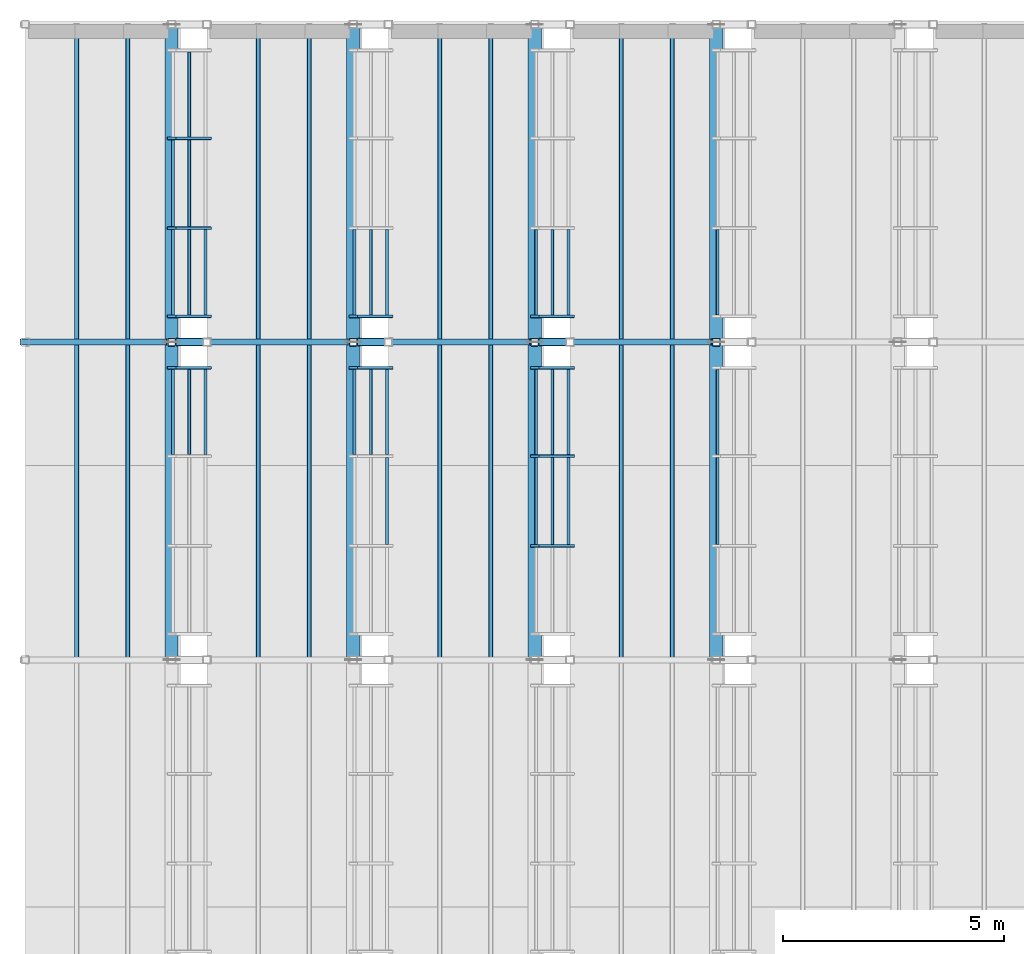
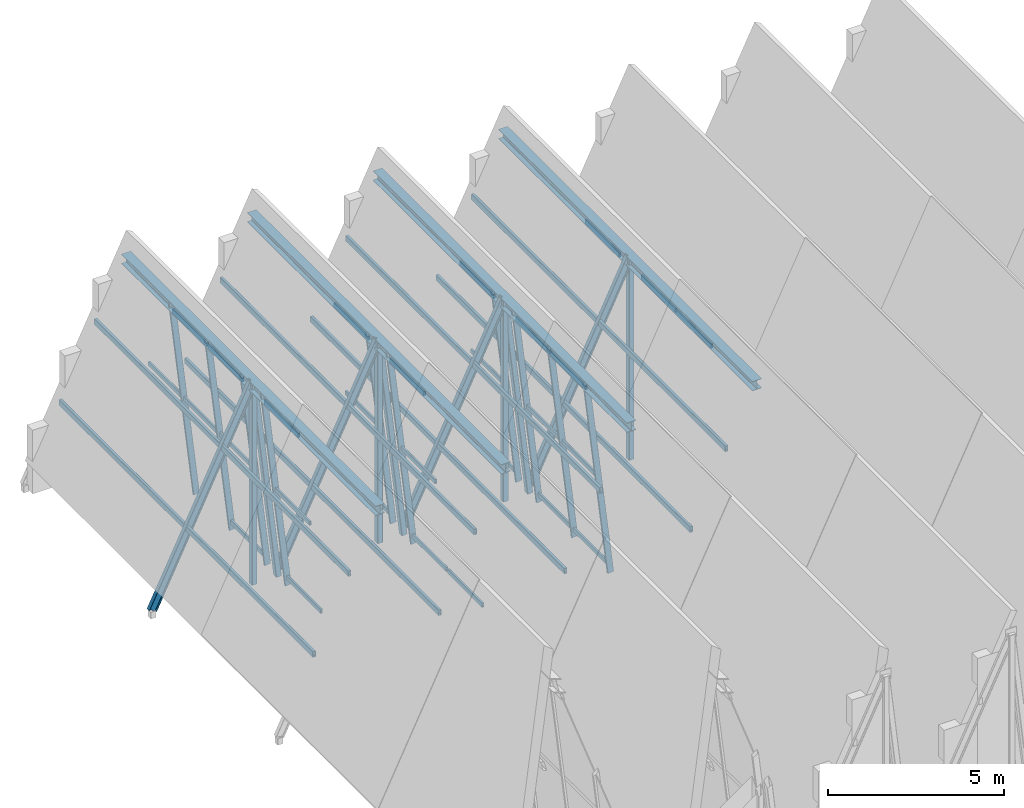
# One storey, part 7 of 28: 57 members, 4 beams, 8 elements without a shape of their own.
"""IFC4 building model written with IfcOpenShell, lengths in metres."""

from ifc_helpers import new_model, si_unit, direction, frame, origin, origin_2d, place, context, subcontext, project, spatial, hollow_rectangle, i_section, extrude, material, material_profile, profile_set, type_object, element, aggregate, save


model = new_model("IFC4")

# Units and contexts
model_context = context("Model", 3, precision=1e-05, world=origin(), true_north=direction((0.0, 1.0)))
body_context = subcontext(model_context, "Body", "Model", "MODEL_VIEW")
ifc_project = project(units=[si_unit("LENGTHUNIT", "METRE"), si_unit("AREAUNIT", "SQUARE_METRE"), si_unit("VOLUMEUNIT", "CUBIC_METRE"), si_unit("PLANEANGLEUNIT", "RADIAN"), si_unit("MASSUNIT", "GRAM", prefix="KILO")], contexts=[model_context])

# Site, building, storey
site_placement = place(None, origin())
site = spatial("IfcSite", under=ifc_project, at=site_placement, CompositionType="ELEMENT")
building_placement = place(site_placement, origin())
building = spatial("IfcBuilding", under=site, at=building_placement, Name="Bramveld Media Centre", CompositionType="ELEMENT")
storey_placement = place(building_placement, frame((0.0, 0.0, 33.89990234375)))
storey = spatial("IfcBuildingStorey", under=building, at=storey_placement, Name="ROOF", CompositionType="ELEMENT", Elevation=33.89990234375)

# Curtain wall, member
ifc_material_1 = material(Name="Thermally broken anodized bronze aluminium unitized curtain wall with solar-control triple glazing", Category="aluminium")
curtain_wall_type = type_object("IfcCurtainWallType", Name="CW-CRN-6100x6941", PredefinedType="NOTDEFINED", material=ifc_material_1)
curtain_wall_1_placement = place(storey_placement, origin())
curtain_wall_1 = element("IfcCurtainWall", 1, at=curtain_wall_1_placement, inside=storey, type_object=curtain_wall_type, Name="V7 crown clerestory B1-S3", PredefinedType="NOTDEFINED")
ifc_material_2 = material(Name="Thermally broken anodized bronze aluminium EN AW-6063 T6 curtain-wall framing", Category="aluminium")
ifc_material_profile_1 = material_profile(ifc_material_2, hollow_rectangle(XDim=0.070068359375, YDim=0.199951171875, WallThickness=0.00439453125, InnerFilletRadius=0.00439453125, OuterFilletRadius=0.009033203125, at=origin_2d()), Name="AL-MULL 70x200")
ifc_profile_set_1 = profile_set([ifc_material_profile_1], Name="Thermally broken anodized bronze aluminium EN AW-6063 T6 curtain-wall framing")
member_type_1 = type_object("IfcMemberType", Name="CW-MULL-SLP", PredefinedType="MULLION", material=ifc_profile_set_1)
member_1_placement = place(storey_placement, frame((135.314208984375, 104.215087890625, -0.02001953125), z_axis=(-0.115228868081, 0.0, 0.993338969315), x_axis=(0.0, -1.0, 0.0)))
member_1 = element("IfcMember", 2, at=member_1_placement, type_object=member_type_1, Name="CW-CR-6169 sloped mullion 4", PredefinedType="MULLION", context=body_context, shape_type="SweptSolid", body=[
    extrude(hollow_rectangle(XDim=0.070068359375, YDim=0.199951171875, WallThickness=0.00439453125, InnerFilletRadius=0.00439453125, OuterFilletRadius=0.009033203125, at=origin_2d()), origin(), (0.0, 0.0, 1.0), 6.94091796875),
])

# Curtain wall, members
curtain_wall_2_placement = place(storey_placement, origin())
curtain_wall_2 = element("IfcCurtainWall", 3, at=curtain_wall_2_placement, inside=storey, type_object=curtain_wall_type, Name="V7 crown clerestory B1-S4", PredefinedType="NOTDEFINED")
member_2_placement = place(storey_placement, frame((135.314208984375, 105.385009765625, -0.02001953125), z_axis=(-0.115228868081, 0.0, 0.993338969315), x_axis=(0.0, -1.0, 0.0)))
member_2 = element("IfcMember", 4, at=member_2_placement, type_object=member_type_1, Name="CW-CR-6169 sloped mullion 1", PredefinedType="MULLION", context=body_context, shape_type="SweptSolid", body=[
    extrude(hollow_rectangle(XDim=0.070068359375, YDim=0.199951171875, WallThickness=0.00439453125, InnerFilletRadius=0.00439453125, OuterFilletRadius=0.009033203125, at=origin_2d()), origin(), (0.0, 0.0, 1.0), 6.94091796875),
])
member_3_placement = place(storey_placement, frame((135.314208984375, 107.38330078125, -0.02001953125), z_axis=(-0.115228868081, 0.0, 0.993338969315), x_axis=(0.0, -1.0, 0.0)))
member_3 = element("IfcMember", 5, at=member_3_placement, type_object=member_type_1, Name="CW-CR-6169 sloped mullion 2", PredefinedType="MULLION", context=body_context, shape_type="SweptSolid", body=[
    extrude(hollow_rectangle(XDim=0.070068359375, YDim=0.199951171875, WallThickness=0.00439453125, InnerFilletRadius=0.00439453125, OuterFilletRadius=0.009033203125, at=origin_2d()), origin(), (0.0, 0.0, 1.0), 6.94091796875),
])
member_4_placement = place(storey_placement, frame((135.314208984375, 109.416748046875, -0.02001953125), z_axis=(-0.115228868081, 0.0, 0.993338969315), x_axis=(0.0, -1.0, 0.0)))
member_4 = element("IfcMember", 6, at=member_4_placement, type_object=member_type_1, Name="CW-CR-6169 sloped mullion 3", PredefinedType="MULLION", context=body_context, shape_type="SweptSolid", body=[
    extrude(hollow_rectangle(XDim=0.070068359375, YDim=0.199951171875, WallThickness=0.00439453125, InnerFilletRadius=0.00439453125, OuterFilletRadius=0.009033203125, at=origin_2d()), origin(), (0.0, 0.0, 1.0), 6.94091796875),
])

# Curtain wall, member
curtain_wall_3_placement = place(storey_placement, origin())
curtain_wall_3 = element("IfcCurtainWall", 7, at=curtain_wall_3_placement, inside=storey, type_object=curtain_wall_type, Name="V7 crown clerestory B2-S3", PredefinedType="NOTDEFINED")
member_5_placement = place(storey_placement, frame((139.4287109375, 104.215087890625, -0.02001953125), z_axis=(-0.115263574492, 0.0, 0.993334942703), x_axis=(0.0, -1.0, 0.0)))
member_5 = element("IfcMember", 8, at=member_5_placement, type_object=member_type_1, Name="CW-CR-6169 sloped mullion 4", PredefinedType="MULLION", context=body_context, shape_type="SweptSolid", body=[
    extrude(hollow_rectangle(XDim=0.070068359375, YDim=0.199951171875, WallThickness=0.00439453125, InnerFilletRadius=0.00439453125, OuterFilletRadius=0.009033203125, at=origin_2d()), origin(), (0.0, 0.0, 1.0), 6.94091796875),
])

curtain_wall_4_placement = place(storey_placement, origin())
curtain_wall_4 = element("IfcCurtainWall", 9, at=curtain_wall_4_placement, inside=storey, type_object=curtain_wall_type, Name="V7 crown clerestory B2-S4", PredefinedType="NOTDEFINED")
member_6_placement = place(storey_placement, frame((139.4287109375, 105.385009765625, -0.02001953125), z_axis=(-0.115263574492, 0.0, 0.993334942703), x_axis=(0.0, -1.0, 0.0)))
member_6 = element("IfcMember", 10, at=member_6_placement, type_object=member_type_1, Name="CW-CR-6169 sloped mullion 1", PredefinedType="MULLION", context=body_context, shape_type="SweptSolid", body=[
    extrude(hollow_rectangle(XDim=0.070068359375, YDim=0.199951171875, WallThickness=0.00439453125, InnerFilletRadius=0.00439453125, OuterFilletRadius=0.009033203125, at=origin_2d()), origin(), (0.0, 0.0, 1.0), 6.94091796875),
])

# Curtain wall, members
curtain_wall_5_placement = place(storey_placement, origin())
curtain_wall_5 = element("IfcCurtainWall", 11, at=curtain_wall_5_placement, inside=storey, type_object=curtain_wall_type, Name="V7 crown clerestory B3-S3", PredefinedType="NOTDEFINED")
member_7_placement = place(storey_placement, frame((143.54296875, 100.183349609375, -0.02001953125), z_axis=(-0.115263574492, 0.0, 0.993334942703), x_axis=(0.0, -1.0, 0.0)))
member_7 = element("IfcMember", 12, at=member_7_placement, type_object=member_type_1, Name="CW-CR-6169 sloped mullion 2", PredefinedType="MULLION", context=body_context, shape_type="SweptSolid", body=[
    extrude(hollow_rectangle(XDim=0.070068359375, YDim=0.199951171875, WallThickness=0.00439453125, InnerFilletRadius=0.00439453125, OuterFilletRadius=0.009033203125, at=origin_2d()), origin(), (0.0, 0.0, 1.0), 6.94091796875),
])
member_8_placement = place(storey_placement, frame((143.54296875, 102.216796875, -0.02001953125), z_axis=(-0.115263574492, 0.0, 0.993334942703), x_axis=(0.0, -1.0, 0.0)))
member_8 = element("IfcMember", 13, at=member_8_placement, type_object=member_type_1, Name="CW-CR-6169 sloped mullion 3", PredefinedType="MULLION", context=body_context, shape_type="SweptSolid", body=[
    extrude(hollow_rectangle(XDim=0.070068359375, YDim=0.199951171875, WallThickness=0.00439453125, InnerFilletRadius=0.00439453125, OuterFilletRadius=0.009033203125, at=origin_2d()), origin(), (0.0, 0.0, 1.0), 6.94091796875),
])
member_9_placement = place(storey_placement, frame((143.54296875, 104.215087890625, -0.02001953125), z_axis=(-0.115263574492, 0.0, 0.993334942703), x_axis=(0.0, -1.0, 0.0)))
member_9 = element("IfcMember", 14, at=member_9_placement, type_object=member_type_1, Name="CW-CR-6169 sloped mullion 4", PredefinedType="MULLION", context=body_context, shape_type="SweptSolid", body=[
    extrude(hollow_rectangle(XDim=0.070068359375, YDim=0.199951171875, WallThickness=0.00439453125, InnerFilletRadius=0.00439453125, OuterFilletRadius=0.009033203125, at=origin_2d()), origin(), (0.0, 0.0, 1.0), 6.94091796875),
])

# Curtain wall, member
curtain_wall_6_placement = place(storey_placement, origin())
curtain_wall_6 = element("IfcCurtainWall", 15, at=curtain_wall_6_placement, inside=storey, type_object=curtain_wall_type, Name="V7 crown clerestory B3-S4", PredefinedType="NOTDEFINED")
member_10_placement = place(storey_placement, frame((143.54296875, 105.385009765625, -0.02001953125), z_axis=(-0.115263574492, 0.0, 0.993334942703), x_axis=(0.0, -1.0, 0.0)))
member_10 = element("IfcMember", 16, at=member_10_placement, type_object=member_type_1, Name="CW-CR-6169 sloped mullion 1", PredefinedType="MULLION", context=body_context, shape_type="SweptSolid", body=[
    extrude(hollow_rectangle(XDim=0.070068359375, YDim=0.199951171875, WallThickness=0.00439453125, InnerFilletRadius=0.00439453125, OuterFilletRadius=0.009033203125, at=origin_2d()), origin(), (0.0, 0.0, 1.0), 6.94091796875),
])

# Member
ifc_material_3 = material(Name="Thermally broken anodized bronze aluminium EN AW-6063 T6 curtain-wall framing", Category="aluminium")
ifc_material_profile_2 = material_profile(ifc_material_3, hollow_rectangle(XDim=0.070068359375, YDim=0.14990234375, WallThickness=0.00390625, InnerFilletRadius=0.00390625, OuterFilletRadius=0.008056640625, at=origin_2d()), Name="AL-TRAN 70x150")
ifc_profile_set_2 = profile_set([ifc_material_profile_2], Name="Thermally broken anodized bronze aluminium EN AW-6063 T6 curtain-wall framing")
member_type_2 = type_object("IfcMemberType", Name="CW-TRAN-SLP", PredefinedType="USERDEFINED", material=ifc_profile_set_2)
member_11_placement = place(storey_placement, frame((135.2822265625, 102.251708984375, 0.255859375), z_axis=(0.0, 1.0, 0.0), x_axis=(-1.0, 0.0, 0.0)))
member_11 = element("IfcMember", 17, at=member_11_placement, type_object=member_type_2, Name="CW-CR-6169 transom 3.1", ObjectType="TRANSOM", PredefinedType="USERDEFINED", context=body_context, shape_type="SweptSolid", body=[
    extrude(hollow_rectangle(XDim=0.070068359375, YDim=0.14990234375, WallThickness=0.00390625, InnerFilletRadius=0.00390625, OuterFilletRadius=0.008056640625, at=origin_2d()), origin(), (0.0, 0.0, 1.0), 1.92822265625),
])

member_12_placement = place(storey_placement, frame((134.914306640625, 102.251708984375, 3.427490234375), z_axis=(0.0, 1.0, 0.0), x_axis=(-1.0, 0.0, 0.0)))
member_12 = element("IfcMember", 18, at=member_12_placement, type_object=member_type_2, Name="CW-CR-6169 transom 3.2", ObjectType="TRANSOM", PredefinedType="USERDEFINED", context=body_context, shape_type="SweptSolid", body=[
    extrude(hollow_rectangle(XDim=0.070068359375, YDim=0.14990234375, WallThickness=0.00390625, InnerFilletRadius=0.00390625, OuterFilletRadius=0.008056640625, at=origin_2d()), origin(), (0.0, 0.0, 1.0), 1.92822265625),
])

member_13_placement = place(storey_placement, frame((134.54638671875, 102.251708984375, 6.598876953125), z_axis=(0.0, 1.0, 0.0), x_axis=(-1.0, 0.0, 0.0)))
member_13 = element("IfcMember", 19, at=member_13_placement, type_object=member_type_2, Name="CW-CR-6169 transom 3.3", ObjectType="TRANSOM", PredefinedType="USERDEFINED", context=body_context, shape_type="SweptSolid", body=[
    extrude(hollow_rectangle(XDim=0.070068359375, YDim=0.14990234375, WallThickness=0.00390625, InnerFilletRadius=0.00390625, OuterFilletRadius=0.008056640625, at=origin_2d()), origin(), (0.0, 0.0, 1.0), 1.92822265625),
])

aggregate(curtain_wall_1, [member_1, member_11, member_12, member_13])

member_14_placement = place(storey_placement, frame((135.2822265625, 105.419921875, 0.255859375), z_axis=(0.0, 1.0, 0.0), x_axis=(-1.0, 0.0, 0.0)))
member_14 = element("IfcMember", 20, at=member_14_placement, type_object=member_type_2, Name="CW-CR-6169 transom 1.1", ObjectType="TRANSOM", PredefinedType="USERDEFINED", context=body_context, shape_type="SweptSolid", body=[
    extrude(hollow_rectangle(XDim=0.070068359375, YDim=0.14990234375, WallThickness=0.00390625, InnerFilletRadius=0.00390625, OuterFilletRadius=0.008056640625, at=origin_2d()), origin(), (0.0, 0.0, 1.0), 1.928466796875),
])

member_15_placement = place(storey_placement, frame((134.914306640625, 105.419921875, 3.427490234375), z_axis=(0.0, 1.0, 0.0), x_axis=(-1.0, 0.0, 0.0)))
member_15 = element("IfcMember", 21, at=member_15_placement, type_object=member_type_2, Name="CW-CR-6169 transom 1.2", ObjectType="TRANSOM", PredefinedType="USERDEFINED", context=body_context, shape_type="SweptSolid", body=[
    extrude(hollow_rectangle(XDim=0.070068359375, YDim=0.14990234375, WallThickness=0.00390625, InnerFilletRadius=0.00390625, OuterFilletRadius=0.008056640625, at=origin_2d()), origin(), (0.0, 0.0, 1.0), 1.928466796875),
])

member_16_placement = place(storey_placement, frame((134.54638671875, 105.419921875, 6.598876953125), z_axis=(0.0, 1.0, 0.0), x_axis=(-1.0, 0.0, 0.0)))
member_16 = element("IfcMember", 22, at=member_16_placement, type_object=member_type_2, Name="CW-CR-6169 transom 1.3", ObjectType="TRANSOM", PredefinedType="USERDEFINED", context=body_context, shape_type="SweptSolid", body=[
    extrude(hollow_rectangle(XDim=0.070068359375, YDim=0.14990234375, WallThickness=0.00390625, InnerFilletRadius=0.00390625, OuterFilletRadius=0.008056640625, at=origin_2d()), origin(), (0.0, 0.0, 1.0), 1.928466796875),
])

member_17_placement = place(storey_placement, frame((134.914306640625, 107.418212890625, 3.427490234375), z_axis=(0.0, 1.0, 0.0), x_axis=(-1.0, 0.0, 0.0)))
member_17 = element("IfcMember", 23, at=member_17_placement, type_object=member_type_2, Name="CW-CR-6169 transom 2.2", ObjectType="TRANSOM", PredefinedType="USERDEFINED", context=body_context, shape_type="SweptSolid", body=[
    extrude(hollow_rectangle(XDim=0.070068359375, YDim=0.14990234375, WallThickness=0.00390625, InnerFilletRadius=0.00390625, OuterFilletRadius=0.008056640625, at=origin_2d()), origin(), (0.0, 0.0, 1.0), 1.96337890625),
])

member_18_placement = place(storey_placement, frame((134.54638671875, 107.418212890625, 6.598876953125), z_axis=(0.0, 1.0, 0.0), x_axis=(-1.0, 0.0, 0.0)))
member_18 = element("IfcMember", 24, at=member_18_placement, type_object=member_type_2, Name="CW-CR-6169 transom 2.3", ObjectType="TRANSOM", PredefinedType="USERDEFINED", context=body_context, shape_type="SweptSolid", body=[
    extrude(hollow_rectangle(XDim=0.070068359375, YDim=0.14990234375, WallThickness=0.00390625, InnerFilletRadius=0.00390625, OuterFilletRadius=0.008056640625, at=origin_2d()), origin(), (0.0, 0.0, 1.0), 1.96337890625),
])

member_19_placement = place(storey_placement, frame((134.914306640625, 109.45166015625, 3.427490234375), z_axis=(0.0, 1.0, 0.0), x_axis=(-1.0, 0.0, 0.0)))
member_19 = element("IfcMember", 25, at=member_19_placement, type_object=member_type_2, Name="CW-CR-6169 transom 3.2", ObjectType="TRANSOM", PredefinedType="USERDEFINED", context=body_context, shape_type="SweptSolid", body=[
    extrude(hollow_rectangle(XDim=0.070068359375, YDim=0.14990234375, WallThickness=0.00390625, InnerFilletRadius=0.00390625, OuterFilletRadius=0.008056640625, at=origin_2d()), origin(), (0.0, 0.0, 1.0), 1.92822265625),
])

aggregate(curtain_wall_2, [member_2, member_3, member_4, member_14, member_15, member_16, member_17, member_18, member_19])

member_20_placement = place(storey_placement, frame((139.396484375, 100.21826171875, 0.255859375), z_axis=(0.0, 1.0, 0.0), x_axis=(-1.0, 0.0, 0.0)))
member_20 = element("IfcMember", 26, at=member_20_placement, type_object=member_type_2, Name="CW-CR-6169 transom 2.1", ObjectType="TRANSOM", PredefinedType="USERDEFINED", context=body_context, shape_type="SweptSolid", body=[
    extrude(hollow_rectangle(XDim=0.070068359375, YDim=0.14990234375, WallThickness=0.00390625, InnerFilletRadius=0.00390625, OuterFilletRadius=0.008056640625, at=origin_2d()), origin(), (0.0, 0.0, 1.0), 1.96337890625),
])

member_21_placement = place(storey_placement, frame((139.396484375, 102.251708984375, 0.255859375), z_axis=(0.0, 1.0, 0.0), x_axis=(-1.0, 0.0, 0.0)))
member_21 = element("IfcMember", 27, at=member_21_placement, type_object=member_type_2, Name="CW-CR-6169 transom 3.1", ObjectType="TRANSOM", PredefinedType="USERDEFINED", context=body_context, shape_type="SweptSolid", body=[
    extrude(hollow_rectangle(XDim=0.070068359375, YDim=0.14990234375, WallThickness=0.00390625, InnerFilletRadius=0.00390625, OuterFilletRadius=0.008056640625, at=origin_2d()), origin(), (0.0, 0.0, 1.0), 1.92822265625),
])

member_22_placement = place(storey_placement, frame((139.028564453125, 102.251708984375, 3.427490234375), z_axis=(0.0, 1.0, 0.0), x_axis=(-1.0, 0.0, 0.0)))
member_22 = element("IfcMember", 28, at=member_22_placement, type_object=member_type_2, Name="CW-CR-6169 transom 3.2", ObjectType="TRANSOM", PredefinedType="USERDEFINED", context=body_context, shape_type="SweptSolid", body=[
    extrude(hollow_rectangle(XDim=0.070068359375, YDim=0.14990234375, WallThickness=0.00390625, InnerFilletRadius=0.00390625, OuterFilletRadius=0.008056640625, at=origin_2d()), origin(), (0.0, 0.0, 1.0), 1.92822265625),
])

member_23_placement = place(storey_placement, frame((138.66064453125, 102.251708984375, 6.598876953125), z_axis=(0.0, 1.0, 0.0), x_axis=(-1.0, 0.0, 0.0)))
member_23 = element("IfcMember", 29, at=member_23_placement, type_object=member_type_2, Name="CW-CR-6169 transom 3.3", ObjectType="TRANSOM", PredefinedType="USERDEFINED", context=body_context, shape_type="SweptSolid", body=[
    extrude(hollow_rectangle(XDim=0.070068359375, YDim=0.14990234375, WallThickness=0.00390625, InnerFilletRadius=0.00390625, OuterFilletRadius=0.008056640625, at=origin_2d()), origin(), (0.0, 0.0, 1.0), 1.92822265625),
])

aggregate(curtain_wall_3, [member_5, member_20, member_21, member_22, member_23])

member_24_placement = place(storey_placement, frame((139.396484375, 105.419921875, 0.255859375), z_axis=(0.0, 1.0, 0.0), x_axis=(-1.0, 0.0, 0.0)))
member_24 = element("IfcMember", 30, at=member_24_placement, type_object=member_type_2, Name="CW-CR-6169 transom 1.1", ObjectType="TRANSOM", PredefinedType="USERDEFINED", context=body_context, shape_type="SweptSolid", body=[
    extrude(hollow_rectangle(XDim=0.070068359375, YDim=0.14990234375, WallThickness=0.00390625, InnerFilletRadius=0.00390625, OuterFilletRadius=0.008056640625, at=origin_2d()), origin(), (0.0, 0.0, 1.0), 1.928466796875),
])

member_25_placement = place(storey_placement, frame((139.028564453125, 105.419921875, 3.427490234375), z_axis=(0.0, 1.0, 0.0), x_axis=(-1.0, 0.0, 0.0)))
member_25 = element("IfcMember", 31, at=member_25_placement, type_object=member_type_2, Name="CW-CR-6169 transom 1.2", ObjectType="TRANSOM", PredefinedType="USERDEFINED", context=body_context, shape_type="SweptSolid", body=[
    extrude(hollow_rectangle(XDim=0.070068359375, YDim=0.14990234375, WallThickness=0.00390625, InnerFilletRadius=0.00390625, OuterFilletRadius=0.008056640625, at=origin_2d()), origin(), (0.0, 0.0, 1.0), 1.928466796875),
])

member_26_placement = place(storey_placement, frame((138.66064453125, 105.419921875, 6.598876953125), z_axis=(0.0, 1.0, 0.0), x_axis=(-1.0, 0.0, 0.0)))
member_26 = element("IfcMember", 32, at=member_26_placement, type_object=member_type_2, Name="CW-CR-6169 transom 1.3", ObjectType="TRANSOM", PredefinedType="USERDEFINED", context=body_context, shape_type="SweptSolid", body=[
    extrude(hollow_rectangle(XDim=0.070068359375, YDim=0.14990234375, WallThickness=0.00390625, InnerFilletRadius=0.00390625, OuterFilletRadius=0.008056640625, at=origin_2d()), origin(), (0.0, 0.0, 1.0), 1.928466796875),
])

aggregate(curtain_wall_4, [member_6, member_24, member_25, member_26])

member_27_placement = place(storey_placement, frame((143.510986328125, 100.21826171875, 0.255859375), z_axis=(0.0, 1.0, 0.0), x_axis=(-1.0, 0.0, 0.0)))
member_27 = element("IfcMember", 33, at=member_27_placement, type_object=member_type_2, Name="CW-CR-6169 transom 2.1", ObjectType="TRANSOM", PredefinedType="USERDEFINED", context=body_context, shape_type="SweptSolid", body=[
    extrude(hollow_rectangle(XDim=0.070068359375, YDim=0.14990234375, WallThickness=0.00390625, InnerFilletRadius=0.00390625, OuterFilletRadius=0.008056640625, at=origin_2d()), origin(), (0.0, 0.0, 1.0), 1.96337890625),
])

member_28_placement = place(storey_placement, frame((143.142822265625, 100.21826171875, 3.427490234375), z_axis=(0.0, 1.0, 0.0), x_axis=(-1.0, 0.0, 0.0)))
member_28 = element("IfcMember", 34, at=member_28_placement, type_object=member_type_2, Name="CW-CR-6169 transom 2.2", ObjectType="TRANSOM", PredefinedType="USERDEFINED", context=body_context, shape_type="SweptSolid", body=[
    extrude(hollow_rectangle(XDim=0.070068359375, YDim=0.14990234375, WallThickness=0.00390625, InnerFilletRadius=0.00390625, OuterFilletRadius=0.008056640625, at=origin_2d()), origin(), (0.0, 0.0, 1.0), 1.96337890625),
])

member_29_placement = place(storey_placement, frame((142.77490234375, 100.21826171875, 6.598876953125), z_axis=(0.0, 1.0, 0.0), x_axis=(-1.0, 0.0, 0.0)))
member_29 = element("IfcMember", 35, at=member_29_placement, type_object=member_type_2, Name="CW-CR-6169 transom 2.3", ObjectType="TRANSOM", PredefinedType="USERDEFINED", context=body_context, shape_type="SweptSolid", body=[
    extrude(hollow_rectangle(XDim=0.070068359375, YDim=0.14990234375, WallThickness=0.00390625, InnerFilletRadius=0.00390625, OuterFilletRadius=0.008056640625, at=origin_2d()), origin(), (0.0, 0.0, 1.0), 1.96337890625),
])

member_30_placement = place(storey_placement, frame((143.510986328125, 102.251708984375, 0.255859375), z_axis=(0.0, 1.0, 0.0), x_axis=(-1.0, 0.0, 0.0)))
member_30 = element("IfcMember", 36, at=member_30_placement, type_object=member_type_2, Name="CW-CR-6169 transom 3.1", ObjectType="TRANSOM", PredefinedType="USERDEFINED", context=body_context, shape_type="SweptSolid", body=[
    extrude(hollow_rectangle(XDim=0.070068359375, YDim=0.14990234375, WallThickness=0.00390625, InnerFilletRadius=0.00390625, OuterFilletRadius=0.008056640625, at=origin_2d()), origin(), (0.0, 0.0, 1.0), 1.92822265625),
])

member_31_placement = place(storey_placement, frame((143.142822265625, 102.251708984375, 3.427490234375), z_axis=(0.0, 1.0, 0.0), x_axis=(-1.0, 0.0, 0.0)))
member_31 = element("IfcMember", 37, at=member_31_placement, type_object=member_type_2, Name="CW-CR-6169 transom 3.2", ObjectType="TRANSOM", PredefinedType="USERDEFINED", context=body_context, shape_type="SweptSolid", body=[
    extrude(hollow_rectangle(XDim=0.070068359375, YDim=0.14990234375, WallThickness=0.00390625, InnerFilletRadius=0.00390625, OuterFilletRadius=0.008056640625, at=origin_2d()), origin(), (0.0, 0.0, 1.0), 1.92822265625),
])

member_32_placement = place(storey_placement, frame((142.77490234375, 102.251708984375, 6.598876953125), z_axis=(0.0, 1.0, 0.0), x_axis=(-1.0, 0.0, 0.0)))
member_32 = element("IfcMember", 38, at=member_32_placement, type_object=member_type_2, Name="CW-CR-6169 transom 3.3", ObjectType="TRANSOM", PredefinedType="USERDEFINED", context=body_context, shape_type="SweptSolid", body=[
    extrude(hollow_rectangle(XDim=0.070068359375, YDim=0.14990234375, WallThickness=0.00390625, InnerFilletRadius=0.00390625, OuterFilletRadius=0.008056640625, at=origin_2d()), origin(), (0.0, 0.0, 1.0), 1.92822265625),
])

aggregate(curtain_wall_5, [member_7, member_8, member_9, member_27, member_28, member_29, member_30, member_31, member_32])

member_33_placement = place(storey_placement, frame((143.510986328125, 105.419921875, 0.255859375), z_axis=(0.0, 1.0, 0.0), x_axis=(-1.0, 0.0, 0.0)))
member_33 = element("IfcMember", 39, at=member_33_placement, type_object=member_type_2, Name="CW-CR-6169 transom 1.1", ObjectType="TRANSOM", PredefinedType="USERDEFINED", context=body_context, shape_type="SweptSolid", body=[
    extrude(hollow_rectangle(XDim=0.070068359375, YDim=0.14990234375, WallThickness=0.00390625, InnerFilletRadius=0.00390625, OuterFilletRadius=0.008056640625, at=origin_2d()), origin(), (0.0, 0.0, 1.0), 1.928466796875),
])

member_34_placement = place(storey_placement, frame((143.142822265625, 105.419921875, 3.427490234375), z_axis=(0.0, 1.0, 0.0), x_axis=(-1.0, 0.0, 0.0)))
member_34 = element("IfcMember", 40, at=member_34_placement, type_object=member_type_2, Name="CW-CR-6169 transom 1.2", ObjectType="TRANSOM", PredefinedType="USERDEFINED", context=body_context, shape_type="SweptSolid", body=[
    extrude(hollow_rectangle(XDim=0.070068359375, YDim=0.14990234375, WallThickness=0.00390625, InnerFilletRadius=0.00390625, OuterFilletRadius=0.008056640625, at=origin_2d()), origin(), (0.0, 0.0, 1.0), 1.928466796875),
])

member_35_placement = place(storey_placement, frame((142.77490234375, 105.419921875, 6.598876953125), z_axis=(0.0, 1.0, 0.0), x_axis=(-1.0, 0.0, 0.0)))
member_35 = element("IfcMember", 41, at=member_35_placement, type_object=member_type_2, Name="CW-CR-6169 transom 1.3", ObjectType="TRANSOM", PredefinedType="USERDEFINED", context=body_context, shape_type="SweptSolid", body=[
    extrude(hollow_rectangle(XDim=0.070068359375, YDim=0.14990234375, WallThickness=0.00390625, InnerFilletRadius=0.00390625, OuterFilletRadius=0.008056640625, at=origin_2d()), origin(), (0.0, 0.0, 1.0), 1.928466796875),
])

aggregate(curtain_wall_6, [member_10, member_33, member_34, member_35])

# Curtain wall, members
curtain_wall_7_placement = place(storey_placement, origin())
curtain_wall_7 = element("IfcCurtainWall", 42, at=curtain_wall_7_placement, inside=storey, type_object=curtain_wall_type, Name="V7 crown clerestory B4-S3", PredefinedType="NOTDEFINED")
member_36_placement = place(storey_placement, frame((146.88916015625, 100.21826171875, 6.598876953125), z_axis=(0.0, 1.0, 0.0), x_axis=(-1.0, 0.0, 0.0)))
member_36 = element("IfcMember", 43, at=member_36_placement, type_object=member_type_2, Name="CW-CR-6169 transom 2.3", ObjectType="TRANSOM", PredefinedType="USERDEFINED", context=body_context, shape_type="SweptSolid", body=[
    extrude(hollow_rectangle(XDim=0.070068359375, YDim=0.14990234375, WallThickness=0.00390625, InnerFilletRadius=0.00390625, OuterFilletRadius=0.008056640625, at=origin_2d()), origin(), (0.0, 0.0, 1.0), 1.96337890625),
])
member_37_placement = place(storey_placement, frame((146.88916015625, 102.251708984375, 6.598876953125), z_axis=(0.0, 1.0, 0.0), x_axis=(-1.0, 0.0, 0.0)))
member_37 = element("IfcMember", 44, at=member_37_placement, type_object=member_type_2, Name="CW-CR-6169 transom 3.3", ObjectType="TRANSOM", PredefinedType="USERDEFINED", context=body_context, shape_type="SweptSolid", body=[
    extrude(hollow_rectangle(XDim=0.070068359375, YDim=0.14990234375, WallThickness=0.00390625, InnerFilletRadius=0.00390625, OuterFilletRadius=0.008056640625, at=origin_2d()), origin(), (0.0, 0.0, 1.0), 1.92822265625),
])
aggregate(curtain_wall_7, [member_36, member_37])

# Curtain wall, member
curtain_wall_8_placement = place(storey_placement, origin())
curtain_wall_8 = element("IfcCurtainWall", 45, at=curtain_wall_8_placement, inside=storey, type_object=curtain_wall_type, Name="V7 crown clerestory B4-S4", PredefinedType="NOTDEFINED")
member_38_placement = place(storey_placement, frame((146.88916015625, 105.419921875, 6.598876953125), z_axis=(0.0, 1.0, 0.0), x_axis=(-1.0, 0.0, 0.0)))
member_38 = element("IfcMember", 46, at=member_38_placement, type_object=member_type_2, Name="CW-CR-6169 transom 1.3", ObjectType="TRANSOM", PredefinedType="USERDEFINED", context=body_context, shape_type="SweptSolid", body=[
    extrude(hollow_rectangle(XDim=0.070068359375, YDim=0.14990234375, WallThickness=0.00390625, InnerFilletRadius=0.00390625, OuterFilletRadius=0.008056640625, at=origin_2d()), origin(), (0.0, 0.0, 1.0), 1.928466796875),
])
aggregate(curtain_wall_8, [member_38])

# Members
ifc_material_4 = material(Name="Steel S355J2H", Category="steel")
ifc_material_profile_3 = material_profile(ifc_material_4, hollow_rectangle(XDim=0.179931640625, YDim=0.179931640625, WallThickness=0.010009765625, InnerFilletRadius=0.010009765625, OuterFilletRadius=0.02001953125, at=origin_2d()), Name="SHS 180x180x10")
ifc_profile_set_3 = profile_set([ifc_material_profile_3], Name="Steel S355J2H")
member_type_3 = type_object("IfcMemberType", Name="MEM-POST-SHS180", PredefinedType="POST", material=ifc_profile_set_3)
for number, where, z_axis, x_axis, name in (
    (47, (134.514404296875, 104.800048828125, -0.0498046875), (0.0, 0.0, 1.0), (1.0, 0.0, 0.0), "CRN-FR-B01-F4 gable kingpost"),
    (48, (138.628662109375, 104.800048828125, -0.0498046875), (0.0, 0.0, 1.0), (1.0, 0.0, 0.0), "CRN-FR-B02-F4 gable kingpost"),
    (49, (142.742919921875, 104.800048828125, -0.0498046875), (0.0, 0.0, 1.0), (1.0, 0.0, 0.0), "CRN-FR-B03-F4 gable kingpost"),
    (50, (146.857177734375, 104.800048828125, -0.0498046875), (0.0, 0.0, 1.0), (1.0, 0.0, 0.0), "CRN-FR-B04-F4 gable kingpost"),
):
    element("IfcMember", number, at=place(storey_placement, frame(where, z_axis=z_axis, x_axis=x_axis)), inside=storey, type_object=member_type_3, Name=name, PredefinedType="POST", context=body_context, shape_type="SweptSolid", body=[
        extrude(hollow_rectangle(XDim=0.179931640625, YDim=0.179931640625, WallThickness=0.010009765625, InnerFilletRadius=0.010009765625, OuterFilletRadius=0.02001953125, at=origin_2d()), origin(), (0.0, 0.0, 1.0), 7.044677734375),
    ])
ifc_material_5 = material(Name="Steel S355J2H", Category="steel")
ifc_material_profile_4 = material_profile(ifc_material_5, hollow_rectangle(XDim=0.10009765625, YDim=0.199951171875, WallThickness=0.008056640625, InnerFilletRadius=0.008056640625, OuterFilletRadius=0.01611328125, at=origin_2d()), Name="RHS 200x100x8")
ifc_profile_set_4 = profile_set([ifc_material_profile_4], Name="Steel S355J2H")
member_type_4 = type_object("IfcMemberType", Name="MEM-PURLIN-RHS200", PredefinedType="PURLIN", material=ifc_profile_set_4)
for number, where, z_axis, x_axis, name in (
    (51, (132.360107421875, 97.60009765625, 2.61083984375), (0.0, 1.0, 0.0), (-1.0, 0.0, 0.0), "V7 crown gable purlin"),
    (52, (133.52001953125, 97.60009765625, 4.997802734375), (0.0, 1.0, 0.0), (-1.0, 0.0, 0.0), "V7 crown gable purlin"),
    (53, (136.474365234375, 97.60009765625, 2.61083984375), (0.0, 1.0, 0.0), (-1.0, 0.0, 0.0), "V7 crown gable purlin"),
    (54, (137.63427734375, 97.60009765625, 4.997802734375), (0.0, 1.0, 0.0), (-1.0, 0.0, 0.0), "V7 crown gable purlin"),
    (55, (140.588623046875, 97.60009765625, 2.61083984375), (0.0, 1.0, 0.0), (-1.0, 0.0, 0.0), "V7 crown gable purlin"),
    (56, (141.74853515625, 97.60009765625, 4.997802734375), (0.0, 1.0, 0.0), (-1.0, 0.0, 0.0), "V7 crown gable purlin"),
    (57, (144.702880859375, 97.60009765625, 2.61083984375), (0.0, 1.0, 0.0), (-1.0, 0.0, 0.0), "V7 crown gable purlin"),
    (58, (145.86279296875, 97.60009765625, 4.997802734375), (0.0, 1.0, 0.0), (-1.0, 0.0, 0.0), "V7 crown gable purlin"),
):
    element("IfcMember", number, at=place(storey_placement, frame(where, z_axis=z_axis, x_axis=x_axis)), inside=storey, type_object=member_type_4, Name=name, PredefinedType="PURLIN", context=body_context, shape_type="SweptSolid", body=[
        extrude(hollow_rectangle(XDim=0.10009765625, YDim=0.199951171875, WallThickness=0.008056640625, InnerFilletRadius=0.008056640625, OuterFilletRadius=0.01611328125, at=origin_2d()), origin(), (0.0, 0.0, 1.0), 14.39990234375),
    ])
ifc_material_6 = material(Name="Steel S355J2", Category="steel")
ifc_material_profile_5 = material_profile(ifc_material_6, i_section(OverallWidth=0.135009765625, OverallDepth=0.27001953125, WebThickness=0.006591796875, FlangeThickness=0.01025390625, FilletRadius=0.014892578125, at=origin_2d()), Name="IPE 270")
ifc_profile_set_5 = profile_set([ifc_material_profile_5], Name="Steel S355J2")
member_type_5 = type_object("IfcMemberType", Name="MEM-RAFTER-IPE270", PredefinedType="RAFTER", material=ifc_profile_set_5)
for number, where, z_axis, x_axis, name in (
    (59, (131.199951171875, 104.800048828125, 0.1748046875), (0.437101193692, 0.0, 0.899412333956), (0.0, 1.0, 0.0), "CRN-FR-B01-F4 gable rafter"),
    (60, (135.314208984375, 104.800048828125, 0.1748046875), (0.437101193692, 0.0, 0.899412333956), (0.0, 1.0, 0.0), "CRN-FR-B02-F4 gable rafter"),
    (61, (139.4287109375, 104.800048828125, 0.1748046875), (0.437075147934, 0.0, 0.899424991347), (0.0, 1.0, 0.0), "CRN-FR-B03-F4 gable rafter"),
    (62, (143.54296875, 104.800048828125, 0.1748046875), (0.437075147934, 0.0, 0.899424991347), (0.0, 1.0, 0.0), "CRN-FR-B04-F4 gable rafter"),
):
    element("IfcMember", number, at=place(storey_placement, frame(where, z_axis=z_axis, x_axis=x_axis)), inside=storey, type_object=member_type_5, Name=name, PredefinedType="RAFTER", context=body_context, shape_type="SweptSolid", body=[
        extrude(i_section(OverallWidth=0.135009765625, OverallDepth=0.27001953125, WebThickness=0.006591796875, FlangeThickness=0.01025390625, FilletRadius=0.014892578125, at=origin_2d()), origin(), (0.0, 0.0, 1.0), 7.582763671875),
    ])
ifc_material_7 = material(Name="Steel S355J2H", Category="steel")
ifc_material_profile_6 = material_profile(ifc_material_7, hollow_rectangle(XDim=0.179931640625, YDim=0.179931640625, WallThickness=0.010009765625, InnerFilletRadius=0.010009765625, OuterFilletRadius=0.02001953125, at=origin_2d()), Name="SHS 180x180x10")
ifc_profile_set_6 = profile_set([ifc_material_profile_6], Name="Steel S355J2H")
member_type_6 = type_object("IfcMemberType", Name="MEM-STRUT-SHS180", PredefinedType="STRUT", material=ifc_profile_set_6)
for number, where, z_axis, x_axis, name in (
    (63, (135.314208984375, 104.800048828125, -0.0498046875), (-0.112808472616, 0.0, 0.993616751321), (0.0, -1.0, 0.0), "CRN-FR-B01-F4 gable strut"),
    (64, (139.4287109375, 104.800048828125, -0.0498046875), (-0.112842469029, 0.0, 0.993612891011), (0.0, -1.0, 0.0), "CRN-FR-B02-F4 gable strut"),
    (65, (143.54296875, 104.800048828125, -0.0498046875), (-0.112842469029, 0.0, 0.993612891011), (0.0, -1.0, 0.0), "CRN-FR-B03-F4 gable strut"),
):
    element("IfcMember", number, at=place(storey_placement, frame(where, z_axis=z_axis, x_axis=x_axis)), inside=storey, type_object=member_type_6, Name=name, PredefinedType="STRUT", context=body_context, shape_type="SweptSolid", body=[
        extrude(hollow_rectangle(XDim=0.179931640625, YDim=0.179931640625, WallThickness=0.010009765625, InnerFilletRadius=0.010009765625, OuterFilletRadius=0.02001953125, at=origin_2d()), origin(), (0.0, 0.0, 1.0), 7.08984375),
    ])

# Beams
ifc_material_8 = material(Name="Steel S355J2", Category="steel")
ifc_material_profile_7 = material_profile(ifc_material_8, i_section(OverallWidth=0.300048828125, OverallDepth=0.330078125, WebThickness=0.009521484375, FlangeThickness=0.0166015625, FilletRadius=0.027099609375, at=origin_2d()), Name="HEA 340")
ifc_profile_set_7 = profile_set([ifc_material_profile_7], Name="Steel S355J2")
beam_type = type_object("IfcBeamType", Name="SBM-INT-HEA-340", PredefinedType="BEAM", material=ifc_profile_set_7)
for number, where, z_axis, x_axis, name in (
    (66, (134.514404296875, 97.60009765625, 6.85986328125), (0.0, 1.0, 0.0), (-1.0, 0.0, 0.0), "V7 crown ridge tie beam"),
    (67, (138.628662109375, 97.60009765625, 6.85986328125), (0.0, 1.0, 0.0), (-1.0, 0.0, 0.0), "V7 crown ridge tie beam"),
    (68, (142.742919921875, 97.60009765625, 6.85986328125), (0.0, 1.0, 0.0), (-1.0, 0.0, 0.0), "V7 crown ridge tie beam"),
    (69, (146.857177734375, 97.60009765625, 6.85986328125), (0.0, 1.0, 0.0), (-1.0, 0.0, 0.0), "V7 crown ridge tie beam"),
):
    element("IfcBeam", number, at=place(storey_placement, frame(where, z_axis=z_axis, x_axis=x_axis)), inside=storey, type_object=beam_type, Name=name, PredefinedType="BEAM", context=body_context, shape_type="SweptSolid", body=[
        extrude(i_section(OverallWidth=0.300048828125, OverallDepth=0.330078125, WebThickness=0.009521484375, FlangeThickness=0.0166015625, FilletRadius=0.027099609375, at=origin_2d()), origin(), (0.0, 0.0, 1.0), 14.39990234375),
    ])

save(model, "model.ifc")
